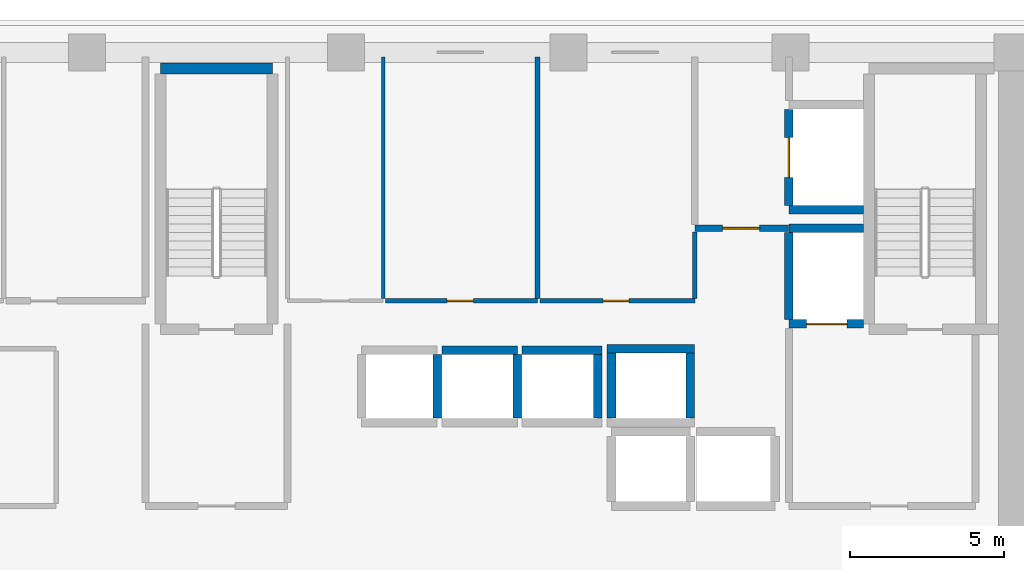
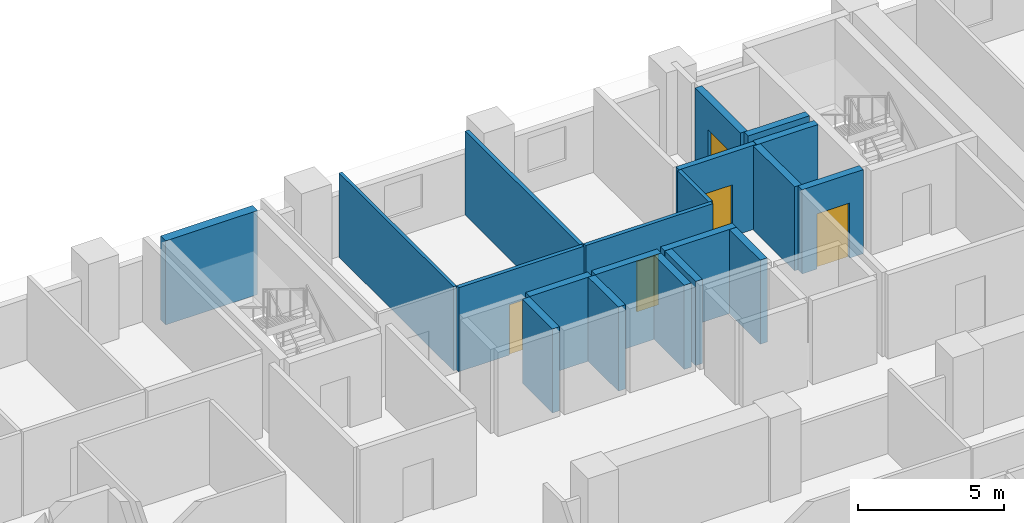
# One storey, part 8 of 15: 20 walls, 5 doors, 5 openings.
"""IFC4 building model written with IfcOpenShell, lengths in metres."""

from ifc_helpers import new_model, si_unit, direction, frame, frame_2d, origin, place, context, subcontext, project, spatial, rectangle, extrude, material, layer, layer_set, type_object, element, fill, save


model = new_model("IFC4")

# Units and contexts
model_context = context("Model", 3, precision=1e-05, world=origin(), true_north=direction((0.0, 1.0)))
body_context = subcontext(model_context, "Body", "Model", "MODEL_VIEW")
ifc_project = project(units=[si_unit("LENGTHUNIT", "METRE"), si_unit("AREAUNIT", "SQUARE_METRE"), si_unit("VOLUMEUNIT", "CUBIC_METRE"), si_unit("PLANEANGLEUNIT", "RADIAN"), si_unit("MASSUNIT", "GRAM", prefix="KILO")], contexts=[model_context])

# Site, building, storey
site_placement = place(None, origin())
site = spatial("IfcSite", under=ifc_project, at=site_placement, CompositionType="ELEMENT")
building_placement = place(site_placement, origin())
building = spatial("IfcBuilding", under=site, at=building_placement, Name="Kaelvorn Grand Hotel", CompositionType="ELEMENT")
storey_placement = place(building_placement, frame((0.0, 0.0, 104.300048828125)))
storey = spatial("IfcBuildingStorey", under=building, at=storey_placement, Name="L24", CompositionType="ELEMENT", Elevation=104.300048828125)

# Wall
ifc_material_1 = material(Name="Moisture-Resistant Tile & Stud Board")
ifc_layer_1 = layer(ifc_material_1, 0.125)
ifc_layer_set_1 = layer_set([ifc_layer_1], Name="Moisture-Resistant Tile & Stud Board")
wall_type_1 = type_object("IfcWallType", Name="WL-PART-125-WET", PredefinedType="PARTITIONING", material=ifc_layer_set_1)
wall_1_placement = place(storey_placement, frame((47.39990234375, 41.017578125, 0.0), z_axis=(0.0, 0.0, 1.0), x_axis=(0.0, 1.0, 0.0)))
element("IfcWall", 1, at=wall_1_placement, inside=storey, type_object=wall_type_1, Name="L24 Accessible WC E Partition", PredefinedType="PARTITIONING", context=body_context, shape_type="SweptSolid", body=[
    extrude(rectangle(XDim=7.83251953125, YDim=0.125, at=frame_2d((3.916259765625, 0.0))), origin(), (0.0, 0.0, 1.0), 3.510009765625),
])

# Wall, opening, door
ifc_material_2 = material(Name="Acoustic Gypsum & Stud Partition")
ifc_layer_2 = layer(ifc_material_2, 0.14990234375)
ifc_layer_set_2 = layer_set([ifc_layer_2], Name="Acoustic Gypsum & Stud Partition")
wall_type_2 = type_object("IfcWallType", Name="WL-PART-150-EI60", PredefinedType="PARTITIONING", material=ifc_layer_set_2)
wall_2_placement = place(storey_placement, frame((47.467529296875, 40.949951171875, 0.0), z_axis=(0.0, 0.0, 1.0), x_axis=(1.0, 0.0, 0.0)))
wall_2 = element("IfcWall", 2, at=wall_2_placement, inside=storey, type_object=wall_type_2, Name="L24 Valet & Luggage Store S Partition", PredefinedType="PARTITIONING", context=body_context, shape_type="SweptSolid", body=[
    extrude(rectangle(XDim=4.932373046875, YDim=0.14990234375, at=frame_2d((2.46630859375, 0.0))), origin(), (0.0, 0.0, 1.0), 3.510009765625),
])
opening_1_placement = place(wall_2_placement, frame((2.007568359375, 0.0, 0.0)))
opening_1 = element("IfcOpeningElement", 3, at=opening_1_placement, cuts=wall_2, Name="Opening DI7", PredefinedType="OPENING", context=body_context, shape_type="SweptSolid", body=[
    extrude(rectangle(XDim=0.85009765625, YDim=2.10009765625, at=frame_2d((0.425048828125, 1.050048828125))), frame((0.0, 0.0849609375, 0.0), z_axis=(0.0, -1.0, 0.0), x_axis=(1.0, 0.0, 0.0)), (0.0, 0.0, 1.0), 0.169921875),
])
ifc_material_3 = material(Name="Powder-Coated Steel Leaf", Category="steel")
door_type_1 = type_object("IfcDoorType", Name="DR-INT-RISER-850x2100", OperationType="NOTDEFINED", PredefinedType="DOOR", material=ifc_material_3)
door_1_placement = place(opening_1_placement, origin())
door_1 = element("IfcDoor", 4, at=door_1_placement, inside=storey, type_object=door_type_1, Name="L24 Valet & Luggage Store Door", OperationType="SINGLE_SWING_RIGHT", OverallHeight=2.10009765625, OverallWidth=0.85009765625, PredefinedType="DOOR", context=body_context, shape_type="SweptSolid", body=[
    extrude(rectangle(XDim=0.85009765625, YDim=2.10009765625, at=frame_2d((0.425048828125, 1.050048828125))), frame((0.0, 0.02490234375, 0.0), z_axis=(0.0, -1.0, 0.0), x_axis=(1.0, 0.0, 0.0)), (0.0, 0.0, 1.0), 0.050048828125),
])
fill(opening_1, door_1)

# Wall
wall_3_placement = place(storey_placement, frame((52.39990234375, 41.030029296875, 0.0), z_axis=(0.0, 0.0, 1.0), x_axis=(0.0, 1.0, 0.0)))
element("IfcWall", 5, at=wall_3_placement, inside=storey, type_object=wall_type_2, Name="L24 Valet & Luggage Store E Partition", PredefinedType="PARTITIONING", context=body_context, shape_type="SweptSolid", body=[
    extrude(rectangle(XDim=7.820068359375, YDim=0.14990234375, at=frame_2d((3.91015625, 0.0))), origin(), (0.0, 0.0, 1.0), 3.510009765625),
])

# Wall, opening, door
wall_4_placement = place(storey_placement, frame((52.47998046875, 40.949951171875, 0.0), z_axis=(0.0, 0.0, 1.0), x_axis=(1.0, 0.0, 0.0)))
wall_4 = element("IfcWall", 6, at=wall_4_placement, inside=storey, type_object=wall_type_2, Name="L24 Clean Utility & Amenity Store S Partition", PredefinedType="PARTITIONING", context=body_context, shape_type="SweptSolid", body=[
    extrude(rectangle(XDim=5.02001953125, YDim=0.14990234375, at=frame_2d((2.510009765625, 0.0))), origin(), (0.0, 0.0, 1.0), 3.510009765625),
])
opening_2_placement = place(wall_4_placement, frame((2.044921875, 0.0, 0.0)))
opening_2 = element("IfcOpeningElement", 7, at=opening_2_placement, cuts=wall_4, Name="Opening DI7", PredefinedType="OPENING", context=body_context, shape_type="SweptSolid", body=[
    extrude(rectangle(XDim=0.85009765625, YDim=2.10009765625, at=frame_2d((0.425048828125, 1.050048828125))), frame((0.0, 0.0849609375, 0.0), z_axis=(0.0, -1.0, 0.0), x_axis=(1.0, 0.0, 0.0)), (0.0, 0.0, 1.0), 0.169921875),
])
door_2_placement = place(opening_2_placement, origin())
door_2 = element("IfcDoor", 8, at=door_2_placement, inside=storey, type_object=door_type_1, Name="L24 Clean Utility & Amenity Store Door", OperationType="SINGLE_SWING_LEFT", OverallHeight=2.10009765625, OverallWidth=0.85009765625, PredefinedType="DOOR", context=body_context, shape_type="SweptSolid", body=[
    extrude(rectangle(XDim=0.85009765625, YDim=2.10009765625, at=frame_2d((0.425048828125, 1.050048828125))), frame((0.0, 0.02490234375, 0.0), z_axis=(0.0, -1.0, 0.0), x_axis=(1.0, 0.0, 0.0)), (0.0, 0.0, 1.0), 0.050048828125),
])
fill(opening_2, door_2)

# Wall
wall_5_placement = place(storey_placement, frame((57.5, 41.030029296875, 0.0), z_axis=(0.0, 0.0, 1.0), x_axis=(0.0, 1.0, 0.0)))
element("IfcWall", 9, at=wall_5_placement, inside=storey, type_object=wall_type_2, Name="L24 Clean Utility & Amenity Store E Partition", PredefinedType="PARTITIONING", context=body_context, shape_type="SweptSolid", body=[
    extrude(rectangle(XDim=2.155029296875, YDim=0.14990234375, at=frame_2d((1.07763671875, 0.0))), origin(), (0.0, 0.0, 1.0), 3.510009765625),
])

# Wall, opening, door
ifc_material_4 = material(Name="Concrete C40/50", Category="concrete")
ifc_layer_3 = layer(ifc_material_4, 0.219970703125)
ifc_layer_set_3 = layer_set([ifc_layer_3], Name="Concrete C40/50")
wall_type_3 = type_object("IfcWallType", Name="WL-PART-220-EI120", PredefinedType="PARTITIONING", material=ifc_layer_set_3)
wall_6_placement = place(storey_placement, frame((57.5, 43.300048828125, 0.0), z_axis=(0.0, 0.0, 1.0), x_axis=(1.0, 0.0, 0.0)))
wall_6 = element("IfcWall", 10, at=wall_6_placement, inside=storey, type_object=wall_type_3, Name="L24 Service Lift Lobby S Partition", PredefinedType="PARTITIONING", context=body_context, shape_type="SweptSolid", body=[
    extrude(rectangle(XDim=3.0400390625, YDim=0.219970703125, at=frame_2d((1.52001953125, 0.0))), origin(), (0.0, 0.0, 1.0), 3.510009765625),
])
opening_3_placement = place(wall_6_placement, frame((0.89990234375, 0.0, 0.0)))
opening_3 = element("IfcOpeningElement", 11, at=opening_3_placement, cuts=wall_6, Name="Opening DI2", PredefinedType="OPENING", context=body_context, shape_type="SweptSolid", body=[
    extrude(rectangle(XDim=1.199951171875, YDim=2.14990234375, at=frame_2d((0.60009765625, 1.074951171875))), frame((0.0, 0.1201171875, 0.0), z_axis=(0.0, -1.0, 0.0), x_axis=(1.0, 0.0, 0.0)), (0.0, 0.0, 1.0), 0.239990234375),
])
ifc_material_5 = material(Name="Timber Veneer Fire Leaf", Category="wood")
door_type_2 = type_object("IfcDoorType", Name="DR-INT-FFLOB-1200x2150", OperationType="NOTDEFINED", PredefinedType="DOOR", material=ifc_material_5)
door_3_placement = place(opening_3_placement, origin())
door_3 = element("IfcDoor", 12, at=door_3_placement, inside=storey, type_object=door_type_2, Name="L24 Service Lift Lobby Door", OperationType="SINGLE_SWING_RIGHT", OverallHeight=2.14990234375, OverallWidth=1.199951171875, PredefinedType="DOOR", context=body_context, shape_type="SweptSolid", body=[
    extrude(rectangle(XDim=1.199951171875, YDim=2.14990234375, at=frame_2d((0.60009765625, 1.074951171875))), frame((0.0, 0.02490234375, 0.0), z_axis=(0.0, -1.0, 0.0), x_axis=(1.0, 0.0, 0.0)), (0.0, 0.0, 1.0), 0.050048828125),
])
fill(opening_3, door_3)

# Walls
ifc_material_6 = material(Name="Concrete C50/60", Category="concrete")
ifc_layer_4 = layer(ifc_material_6, 0.280029296875)
ifc_layer_set_4 = layer_set([ifc_layer_4], Name="Concrete C50/60")
wall_type_4 = type_object("IfcWallType", Name="WL-SHAFT-280-C50", PredefinedType="SHEAR", material=ifc_layer_set_4)
wall_7_placement = place(storey_placement, frame((49.14990234375, 37.14501953125, 0.0), z_axis=(0.0, 0.0, 1.0), x_axis=(0.0, 1.0, 0.0)))
element("IfcWall", 13, at=wall_7_placement, inside=storey, type_object=wall_type_4, Name="L24 Lift SL-1 Shaft East Wall", PredefinedType="SHEAR", context=body_context, shape_type="SweptSolid", body=[
    extrude(rectangle(XDim=2.06005859375, YDim=0.280029296875, at=frame_2d((1.030029296875, 0.0))), origin(), (0.0, 0.0, 1.0), 3.510009765625),
])
wall_8_placement = place(storey_placement, frame((49.300048828125, 39.35009765625, 0.0), z_axis=(0.0, 0.0, 1.0), x_axis=(1.0, 0.0, 0.0)))
element("IfcWall", 14, at=wall_8_placement, inside=storey, type_object=wall_type_4, Name="L24 Lift SL-2 Shaft North Wall", PredefinedType="SHEAR", context=body_context, shape_type="SweptSolid", body=[
    extrude(rectangle(XDim=2.449951171875, YDim=0.280029296875, at=frame_2d((1.22509765625, 0.0))), origin(), (0.0, 0.0, 1.0), 3.510009765625),
])
wall_9_placement = place(storey_placement, frame((51.75, 37.14501953125, 0.0), z_axis=(0.0, 0.0, 1.0), x_axis=(0.0, 1.0, 0.0)))
element("IfcWall", 15, at=wall_9_placement, inside=storey, type_object=wall_type_4, Name="L24 Lift SL-2 Shaft East Wall", PredefinedType="SHEAR", context=body_context, shape_type="SweptSolid", body=[
    extrude(rectangle(XDim=2.06005859375, YDim=0.280029296875, at=frame_2d((1.030029296875, 0.0))), origin(), (0.0, 0.0, 1.0), 3.510009765625),
])
wall_10_placement = place(storey_placement, frame((51.89990234375, 39.35009765625, 0.0), z_axis=(0.0, 0.0, 1.0), x_axis=(1.0, 0.0, 0.0)))
element("IfcWall", 16, at=wall_10_placement, inside=storey, type_object=wall_type_4, Name="L24 Lift SL-3 Shaft North Wall", PredefinedType="SHEAR", context=body_context, shape_type="SweptSolid", body=[
    extrude(rectangle(XDim=2.590087890625, YDim=0.280029296875, at=frame_2d((1.294921875, 0.0))), origin(), (0.0, 0.0, 1.0), 3.510009765625),
])
wall_11_placement = place(storey_placement, frame((54.35009765625, 37.14501953125, 0.0), z_axis=(0.0, 0.0, 1.0), x_axis=(0.0, 1.0, 0.0)))
element("IfcWall", 17, at=wall_11_placement, inside=storey, type_object=wall_type_4, Name="L24 Lift SL-3 Shaft East Wall", PredefinedType="SHEAR", context=body_context, shape_type="SweptSolid", body=[
    extrude(rectangle(XDim=2.06005859375, YDim=0.280029296875, at=frame_2d((1.030029296875, 0.0))), origin(), (0.0, 0.0, 1.0), 3.510009765625),
])
wall_12_placement = place(storey_placement, frame((54.659912109375, 39.39990234375, 0.0), z_axis=(0.0, 0.0, 1.0), x_axis=(1.0, 0.0, 0.0)))
element("IfcWall", 18, at=wall_12_placement, inside=storey, type_object=wall_type_4, Name="L24 Lift OL-3 Shaft North Wall", PredefinedType="SHEAR", context=body_context, shape_type="SweptSolid", body=[
    extrude(rectangle(XDim=2.830078125, YDim=0.280029296875, at=frame_2d((1.4150390625, 0.0))), origin(), (0.0, 0.0, 1.0), 3.510009765625),
])
for number, where, z_axis, x_axis, name in (
    (19, (54.800048828125, 37.14501953125, 0.0), (0.0, 0.0, 1.0), (0.0, 1.0, 0.0), "L24 Lift OL-3 Shaft West Wall"),
    (20, (57.35009765625, 37.14501953125, 0.0), (0.0, 0.0, 1.0), (0.0, 1.0, 0.0), "L24 Lift OL-3 Shaft East Wall"),
):
    element("IfcWall", number, at=place(storey_placement, frame(where, z_axis=z_axis, x_axis=x_axis)), inside=storey, type_object=wall_type_4, Name=name, PredefinedType="SHEAR", context=body_context, shape_type="SweptSolid", body=[
        extrude(rectangle(XDim=2.10986328125, YDim=0.280029296875, at=frame_2d((1.054931640625, 0.0))), origin(), (0.0, 0.0, 1.0), 3.510009765625),
    ])

# Wall, opening, door
wall_13_placement = place(storey_placement, frame((60.550048828125, 40.199951171875, 0.0), z_axis=(0.0, 0.0, 1.0), x_axis=(1.0, 0.0, 0.0)))
wall_13 = element("IfcWall", 21, at=wall_13_placement, inside=storey, type_object=wall_type_4, Name="L24 Lift FFL2 Shaft South Wall", PredefinedType="SHEAR", context=body_context, shape_type="SweptSolid", body=[
    extrude(rectangle(XDim=2.4150390625, YDim=0.280029296875, at=frame_2d((1.20751953125, 0.0))), origin(), (0.0, 0.0, 1.0), 3.510009765625),
])
opening_4_placement = place(wall_13_placement, frame((0.574951171875, 0.0, 0.0)))
opening_4 = element("IfcOpeningElement", 22, at=opening_4_placement, cuts=wall_13, Name="Opening LD-FFL2", PredefinedType="OPENING", context=body_context, shape_type="SweptSolid", body=[
    extrude(rectangle(XDim=1.300048828125, YDim=2.300048828125, at=frame_2d((0.64990234375, 1.14990234375))), frame((0.0, 0.14990234375, 0.0), z_axis=(0.0, -1.0, 0.0), x_axis=(1.0, 0.0, 0.0)), (0.0, 0.0, 1.0), 0.300048828125),
])
ifc_material_7 = material(Name="Stainless Steel", Category="steel")
door_type_3 = type_object("IfcDoorType", Name="DR-LIFT-SERV-1300x2300", OperationType="DOUBLE_DOOR_SLIDING", PredefinedType="DOOR", material=ifc_material_7)
door_4_placement = place(opening_4_placement, origin())
door_4 = element("IfcDoor", 23, at=door_4_placement, inside=storey, type_object=door_type_3, Name="L24 Lift FFL2 Sliding Landing Door LD-FFL2", OperationType="DOUBLE_DOOR_SLIDING", OverallHeight=2.300048828125, OverallWidth=1.300048828125, PredefinedType="DOOR", context=body_context, shape_type="SweptSolid", body=[
    extrude(rectangle(XDim=1.300048828125, YDim=2.300048828125, at=frame_2d((0.64990234375, 1.14990234375))), frame((0.0, 0.02490234375, 0.0), z_axis=(0.0, -1.0, 0.0), x_axis=(1.0, 0.0, 0.0)), (0.0, 0.0, 1.0), 0.050048828125),
])
fill(opening_4, door_4)

# Walls
wall_14_placement = place(storey_placement, frame((60.550048828125, 43.300048828125, 0.0), z_axis=(0.0, 0.0, 1.0), x_axis=(1.0, 0.0, 0.0)))
element("IfcWall", 24, at=wall_14_placement, inside=storey, type_object=wall_type_4, Name="L24 Lift FFL2 Shaft North Wall", PredefinedType="SHEAR", context=body_context, shape_type="SweptSolid", body=[
    extrude(rectangle(XDim=2.4150390625, YDim=0.280029296875, at=frame_2d((1.20751953125, 0.0))), origin(), (0.0, 0.0, 1.0), 3.510009765625),
])
wall_15_placement = place(storey_placement, frame((60.550048828125, 40.344970703125, 0.0), z_axis=(0.0, 0.0, 1.0), x_axis=(0.0, 1.0, 0.0)))
element("IfcWall", 25, at=wall_15_placement, inside=storey, type_object=wall_type_4, Name="L24 Lift FFL2 Shaft West Wall", PredefinedType="SHEAR", context=body_context, shape_type="SweptSolid", body=[
    extrude(rectangle(XDim=2.81005859375, YDim=0.280029296875, at=frame_2d((1.405029296875, 0.0))), origin(), (0.0, 0.0, 1.0), 3.510009765625),
])
wall_16_placement = place(storey_placement, frame((60.550048828125, 43.89990234375, 0.0), z_axis=(0.0, 0.0, 1.0), x_axis=(1.0, 0.0, 0.0)))
element("IfcWall", 26, at=wall_16_placement, inside=storey, type_object=wall_type_4, Name="L24 Lift SV1 Shaft South Wall", PredefinedType="SHEAR", context=body_context, shape_type="SweptSolid", body=[
    extrude(rectangle(XDim=2.4150390625, YDim=0.280029296875, at=frame_2d((1.20751953125, 0.0))), origin(), (0.0, 0.0, 1.0), 3.510009765625),
])

# Wall, opening, door
wall_17_placement = place(storey_placement, frame((60.550048828125, 44.044921875, 0.0), z_axis=(0.0, 0.0, 1.0), x_axis=(0.0, 1.0, 0.0)))
wall_17 = element("IfcWall", 27, at=wall_17_placement, inside=storey, type_object=wall_type_4, Name="L24 Lift SV1 Shaft West Wall", PredefinedType="SHEAR", context=body_context, shape_type="SweptSolid", body=[
    extrude(rectangle(XDim=3.110107421875, YDim=0.280029296875, at=frame_2d((1.55517578125, 0.0))), origin(), (0.0, 0.0, 1.0), 3.510009765625),
])
opening_5_placement = place(wall_17_placement, frame((0.905029296875, 0.0, 0.0)))
opening_5 = element("IfcOpeningElement", 28, at=opening_5_placement, cuts=wall_17, Name="Opening LD-SV1", PredefinedType="OPENING", context=body_context, shape_type="SweptSolid", body=[
    extrude(rectangle(XDim=1.300048828125, YDim=2.300048828125, at=frame_2d((0.64990234375, 1.14990234375))), frame((0.0, 0.14990234375, 0.0), z_axis=(0.0, -1.0, 0.0), x_axis=(1.0, 0.0, 0.0)), (0.0, 0.0, 1.0), 0.300048828125),
])
door_5_placement = place(opening_5_placement, origin())
door_5 = element("IfcDoor", 29, at=door_5_placement, inside=storey, type_object=door_type_3, Name="L24 Lift SV1 Sliding Landing Door LD-SV1", OperationType="DOUBLE_DOOR_SLIDING", OverallHeight=2.300048828125, OverallWidth=1.300048828125, PredefinedType="DOOR", context=body_context, shape_type="SweptSolid", body=[
    extrude(rectangle(XDim=1.300048828125, YDim=2.300048828125, at=frame_2d((0.64990234375, 1.14990234375))), frame((0.0, 0.02490234375, 0.0), z_axis=(0.0, -1.0, 0.0), x_axis=(1.0, 0.0, 0.0)), (0.0, 0.0, 1.0), 0.050048828125),
])
fill(opening_5, door_5)

# Wall
ifc_material_8 = material(Name="Concrete C60/75", Category="concrete")
ifc_layer_5 = layer(ifc_material_8, 0.35009765625)
ifc_layer_set_5 = layer_set([ifc_layer_5], Name="Concrete C60/75")
wall_type_5 = type_object("IfcWallType", Name="WL-SHAFT-350-C60", PredefinedType="SHEAR", material=ifc_layer_set_5)
wall_18_placement = place(storey_placement, frame((40.18505859375, 48.47509765625, 0.0), z_axis=(0.0, 0.0, 1.0), x_axis=(1.0, 0.0, 0.0)))
element("IfcWall", 30, at=wall_18_placement, inside=storey, type_object=wall_type_5, Name="L24 ST2 Stair Shaft North Wall", PredefinedType="SHEAR", context=body_context, shape_type="SweptSolid", body=[
    extrude(rectangle(XDim=3.6298828125, YDim=0.35009765625, at=frame_2d((1.81494140625, 0.0))), origin(), (0.0, 0.0, 1.0), 3.510009765625),
])

save(model, "model.ifc")
